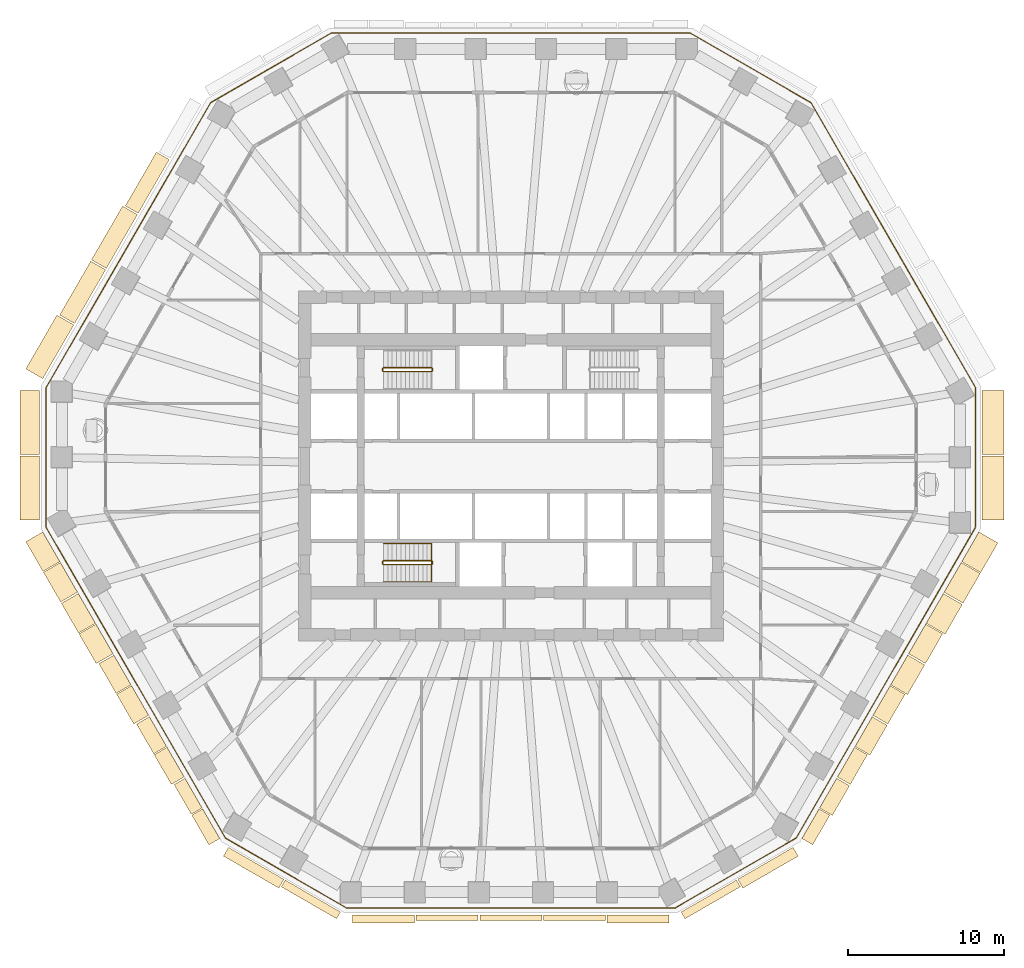
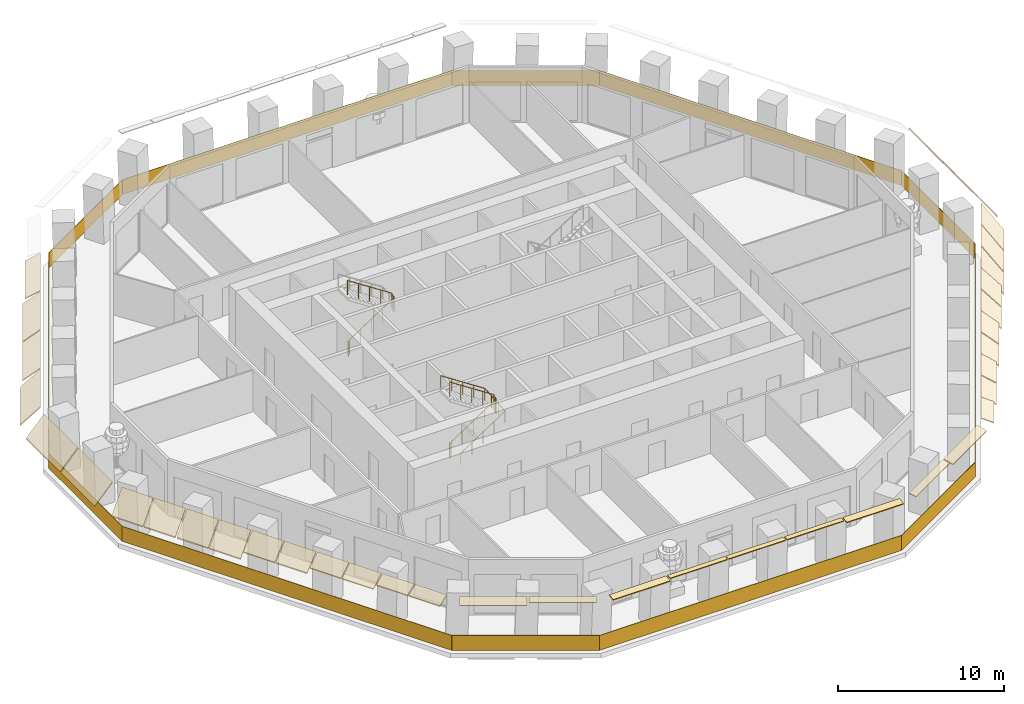
# One storey, part 10 of 13: 37 coverings, 4 railings.
"""IFC4 building model written with IfcOpenShell, lengths in metres."""

from ifc_helpers import new_model, si_unit, direction, frame, origin, origin_2d, place, context, subcontext, project, spatial, polyline, rectangle, circle, outline, extrude, material, layer, layer_set, type_object, element, save


model = new_model("IFC4")

# Units and contexts
model_context = context("Model", 3, precision=1e-05, world=origin(), true_north=direction((0.0, 1.0)))
body_context = subcontext(model_context, "Body", "Model", "MODEL_VIEW")
ifc_project = project(units=[si_unit("LENGTHUNIT", "METRE"), si_unit("AREAUNIT", "SQUARE_METRE"), si_unit("VOLUMEUNIT", "CUBIC_METRE"), si_unit("PLANEANGLEUNIT", "RADIAN"), si_unit("MASSUNIT", "GRAM", prefix="KILO")], contexts=[model_context])

# Site, building, storey
site_placement = place(None, origin())
site = spatial("IfcSite", under=ifc_project, at=site_placement, CompositionType="ELEMENT")
building_placement = place(site_placement, origin())
building = spatial("IfcBuilding", under=site, at=building_placement, Name="Frailejon Research Tower", CompositionType="ELEMENT")
storey_placement = place(building_placement, frame((0.0, 0.0, 98.39990234375)))
storey = spatial("IfcBuildingStorey", under=building, at=storey_placement, Name="L21", CompositionType="ELEMENT", Elevation=98.39990234375)

# Coverings
ifc_material_1 = material(Name="Precast concrete C50/60", Category="concrete")
ifc_layer_1 = layer(ifc_material_1, 0.06005859375)
ifc_layer_set_1 = layer_set([ifc_layer_1], Name="Brim blade depth 1100")
covering_type_1 = type_object("IfcCoveringType", Name="Brim blade depth 1100", PredefinedType="CLADDING", material=ifc_layer_set_1)
for number, where, z_axis, x_axis, name in (
    (1, (-25.8837890625, 12.650634765625, 4.25), (0.499992413042, 0.866029784072, 0.0), (-0.866029784072, 0.499992413042, 0.0), "Brim blade L21"),
    (2, (-27.919921875, 9.123779296875, 4.25), (0.499992413042, 0.866029784072, 0.0), (-0.866029784072, 0.499992413042, 0.0), "Brim blade L21"),
):
    element("IfcCovering", number, at=place(storey_placement, frame(where, z_axis=z_axis, x_axis=x_axis)), inside=storey, type_object=covering_type_1, Name=name, PredefinedType="CLADDING", context=body_context, shape_type="SweptSolid", body=[
        extrude(outline(polyline([(0.0, -0.078369140625), (1.10009765625, -1.001220703125), (1.10009765625, -0.923095703125), (0.0, 0.0), (0.0, -0.078369140625)])), origin(), (0.0, 0.0, 1.0), 3.972412109375),
    ])
for number, where, z_axis, x_axis, name in (
    (3, (-24.306884765625, -13.9990234375, 4.25), (-0.49998618725, 0.866033378433, 0.0), (-0.866033378433, -0.49998618725, 0.0), "Brim blade L21"),
    (4, (-23.17919921875, -15.952392578125, 4.25), (-0.49998618725, 0.866033378433, 0.0), (-0.866033378433, -0.49998618725, 0.0), "Brim blade L21"),
):
    element("IfcCovering", number, at=place(storey_placement, frame(where, z_axis=z_axis, x_axis=x_axis)), inside=storey, type_object=covering_type_1, Name=name, PredefinedType="CLADDING", context=body_context, shape_type="SweptSolid", body=[
        extrude(outline(polyline([(0.0, -0.078369140625), (1.10009765625, -1.001220703125), (1.10009765625, -0.923095703125), (0.0, 0.0), (0.0, -0.078369140625)])), origin(), (0.0, 0.0, 1.0), 2.19580078125),
    ])
covering_1_placement = place(storey_placement, frame((23.129150390625, -16.0390625, 4.25), z_axis=(-0.500012180236, -0.866018371408, 0.0), x_axis=(0.866018371408, -0.500012180236, 0.0)))
element("IfcCovering", 5, at=covering_1_placement, inside=storey, type_object=covering_type_1, Name="Brim blade L21", PredefinedType="CLADDING", context=body_context, shape_type="SweptSolid", body=[
    extrude(outline(polyline([(0.0, -0.078369140625), (1.10009765625, -1.001220703125), (1.10009765625, -0.923095703125), (0.0, 0.0), (0.0, -0.078369140625)])), origin(), (0.0, 0.0, 1.0), 2.195556640625),
])
covering_2_placement = place(storey_placement, frame((24.277099609375, -14.051025390625, 4.25), z_axis=(-0.49998618725, -0.866033378433, 0.0), x_axis=(0.866033378433, -0.49998618725, 0.0)))
element("IfcCovering", 6, at=covering_2_placement, inside=storey, type_object=covering_type_1, Name="Brim blade L21", PredefinedType="CLADDING", context=body_context, shape_type="SweptSolid", body=[
    extrude(outline(polyline([(0.0, -0.078369140625), (1.10009765625, -1.001220703125), (1.10009765625, -0.923095703125), (0.0, 0.0), (0.0, -0.078369140625)])), origin(), (0.0, 0.0, 1.0), 2.19580078125),
])
ifc_material_2 = material(Name="Precast concrete C50/60", Category="concrete")
ifc_layer_2 = layer(ifc_material_2, 0.06005859375)
ifc_layer_set_2 = layer_set([ifc_layer_2], Name="Brim blade depth 1250")
covering_type_2 = type_object("IfcCoveringType", Name="Brim blade depth 1250", PredefinedType="CLADDING", material=ifc_layer_set_2)
covering_3_placement = place(storey_placement, frame((-29.9560546875, 5.59716796875, 4.25), z_axis=(0.500010829996, 0.866019150993, 0.0), x_axis=(-0.866019150993, 0.500010829996, 0.0)))
element("IfcCovering", 7, at=covering_3_placement, inside=storey, type_object=covering_type_2, Name="Brim blade L21", PredefinedType="CLADDING", context=body_context, shape_type="SweptSolid", body=[
    extrude(outline(polyline([(0.0, -0.0888671875), (1.25, -1.452880859375), (1.25, -1.364013671875), (0.0, 0.0), (0.0, -0.0888671875)])), origin(), (0.0, 0.0, 1.0), 3.972412109375),
])
covering_4_placement = place(storey_placement, frame((-30.162109375, 0.741455078125, 4.25), z_axis=(0.0, 1.0, 0.0), x_axis=(-1.0, 0.0, 0.0)))
element("IfcCovering", 8, at=covering_4_placement, inside=storey, type_object=covering_type_2, Name="Brim blade L21", PredefinedType="CLADDING", context=body_context, shape_type="SweptSolid", body=[
    extrude(outline(polyline([(0.0, -0.0888671875), (1.25, -1.452880859375), (1.25, -1.364013671875), (0.0, 0.0), (0.0, -0.0888671875)])), origin(), (0.0, 0.0, 1.0), 4.08740234375),
])
covering_5_placement = place(storey_placement, frame((-30.162109375, -3.4462890625, 4.25), z_axis=(0.0, 1.0, 0.0), x_axis=(-1.0, 0.0, 0.0)))
element("IfcCovering", 9, at=covering_5_placement, inside=storey, type_object=covering_type_2, Name="Brim blade L21", PredefinedType="CLADDING", context=body_context, shape_type="SweptSolid", body=[
    extrude(outline(polyline([(0.0, -0.0888671875), (1.25, -1.452880859375), (1.25, -1.364013671875), (0.0, 0.0), (0.0, -0.0888671875)])), origin(), (0.0, 0.0, 1.0), 4.087646484375),
])
for number, where, z_axis, x_axis, name in (
    (10, (-28.8583984375, -6.115966796875, 4.25), (-0.500012180236, 0.866018371408, 0.0), (-0.866018371408, -0.500012180236, 0.0), "Brim blade L21"),
    (11, (-27.73046875, -8.0693359375, 4.25), (-0.500012180236, 0.866018371408, 0.0), (-0.866018371408, -0.500012180236, 0.0), "Brim blade L21"),
    (12, (-26.58251953125, -10.0576171875, 4.25), (-0.499995700913, 0.866027885849, 0.0), (-0.866027885849, -0.499995700913, 0.0), "Brim blade L21"),
    (13, (-25.454833984375, -12.010986328125, 4.25), (-0.499995700913, 0.866027885849, 0.0), (-0.866027885849, -0.499995700913, 0.0), "Brim blade L21"),
):
    element("IfcCovering", number, at=place(storey_placement, frame(where, z_axis=z_axis, x_axis=x_axis)), inside=storey, type_object=covering_type_2, Name=name, PredefinedType="CLADDING", context=body_context, shape_type="SweptSolid", body=[
        extrude(outline(polyline([(0.0, -0.0888671875), (1.25, -1.452880859375), (1.25, -1.364013671875), (0.0, 0.0), (0.0, -0.0888671875)])), origin(), (0.0, 0.0, 1.0), 2.195556640625),
    ])
covering_6_placement = place(storey_placement, frame((25.40478515625, -12.097412109375, 4.25), z_axis=(-0.49998618725, -0.866033378433, 0.0), x_axis=(0.866033378433, -0.49998618725, 0.0)))
element("IfcCovering", 14, at=covering_6_placement, inside=storey, type_object=covering_type_2, Name="Brim blade L21", PredefinedType="CLADDING", context=body_context, shape_type="SweptSolid", body=[
    extrude(outline(polyline([(0.0, -0.0888671875), (1.25, -1.452880859375), (1.25, -1.364013671875), (0.0, 0.0), (0.0, -0.0888671875)])), origin(), (0.0, 0.0, 1.0), 2.19580078125),
])
covering_7_placement = place(storey_placement, frame((26.552490234375, -10.109375, 4.25), z_axis=(-0.499995700913, -0.866027885849, 0.0), x_axis=(0.866027885849, -0.499995700913, 0.0)))
element("IfcCovering", 15, at=covering_7_placement, inside=storey, type_object=covering_type_2, Name="Brim blade L21", PredefinedType="CLADDING", context=body_context, shape_type="SweptSolid", body=[
    extrude(outline(polyline([(0.0, -0.0888671875), (1.25, -1.452880859375), (1.25, -1.364013671875), (0.0, 0.0), (0.0, -0.0888671875)])), origin(), (0.0, 0.0, 1.0), 2.195556640625),
])
ifc_material_3 = material(Name="Precast concrete C50/60", Category="concrete")
ifc_layer_3 = layer(ifc_material_3, 0.06005859375)
ifc_layer_set_3 = layer_set([ifc_layer_3], Name="Brim blade depth 1400")
covering_type_3 = type_object("IfcCoveringType", Name="Brim blade depth 1400", PredefinedType="CLADDING", material=ifc_layer_set_3)
covering_8_placement = place(storey_placement, frame((30.162109375, 0.641357421875, 4.25), z_axis=(0.0, -1.0, 0.0), x_axis=(1.0, 0.0, 0.0)))
element("IfcCovering", 16, at=covering_8_placement, inside=storey, type_object=covering_type_3, Name="Brim blade L21", PredefinedType="CLADDING", context=body_context, shape_type="SweptSolid", body=[
    extrude(outline(polyline([(0.0, -0.1044921875), (1.39990234375, -2.10400390625), (1.39990234375, -1.99951171875), (0.0, 0.0), (0.0, -0.1044921875)])), origin(), (0.0, 0.0, 1.0), 4.087646484375),
])
covering_9_placement = place(storey_placement, frame((30.162109375, 4.828857421875, 4.25), z_axis=(0.0, -1.0, 0.0), x_axis=(1.0, 0.0, 0.0)))
element("IfcCovering", 17, at=covering_9_placement, inside=storey, type_object=covering_type_3, Name="Brim blade L21", PredefinedType="CLADDING", context=body_context, shape_type="SweptSolid", body=[
    extrude(outline(polyline([(0.0, -0.1044921875), (1.39990234375, -2.10400390625), (1.39990234375, -1.99951171875), (0.0, 0.0), (0.0, -0.1044921875)])), origin(), (0.0, 0.0, 1.0), 4.08740234375),
])
for number, where, z_axis, x_axis, name in (
    (18, (27.680419921875, -8.156005859375, 4.25), (-0.499995700913, -0.866027885849, 0.0), (0.866027885849, -0.499995700913, 0.0), "Brim blade L21"),
    (19, (28.828369140625, -6.16796875, 4.25), (-0.500012180236, -0.866018371408, 0.0), (0.866018371408, -0.500012180236, 0.0), "Brim blade L21"),
    (20, (29.9560546875, -4.214599609375, 4.25), (-0.500012180236, -0.866018371408, 0.0), (0.866018371408, -0.500012180236, 0.0), "Brim blade L21"),
):
    element("IfcCovering", number, at=place(storey_placement, frame(where, z_axis=z_axis, x_axis=x_axis)), inside=storey, type_object=covering_type_3, Name=name, PredefinedType="CLADDING", context=body_context, shape_type="SweptSolid", body=[
        extrude(outline(polyline([(0.0, -0.1044921875), (1.39990234375, -2.10400390625), (1.39990234375, -1.99951171875), (0.0, 0.0), (0.0, -0.1044921875)])), origin(), (0.0, 0.0, 1.0), 2.195556640625),
    ])
ifc_material_4 = material(Name="Precast concrete C50/60", Category="concrete")
ifc_layer_4 = layer(ifc_material_4, 0.06005859375)
ifc_layer_set_4 = layer_set([ifc_layer_4], Name="Brim blade depth 350")
covering_type_4 = type_object("IfcCoveringType", Name="Brim blade depth 350", PredefinedType="CLADDING", material=ifc_layer_set_4)
covering_10_placement = place(storey_placement, frame((-2.086181640625, -28.741455078125, 4.25), z_axis=(-1.0, 0.0, 0.0), x_axis=(0.0, -1.0, 0.0)))
element("IfcCovering", 21, at=covering_10_placement, inside=storey, type_object=covering_type_4, Name="Brim blade L21", PredefinedType="CLADDING", context=body_context, shape_type="SweptSolid", body=[
    extrude(outline(polyline([(0.0, -0.06005859375), (0.35009765625, -0.06005859375), (0.35009765625, 0.0), (0.0, 0.0), (0.0, -0.06005859375)])), origin(), (0.0, 0.0, 1.0), 3.972412109375),
])
covering_11_placement = place(storey_placement, frame((1.986083984375, -28.741455078125, 4.25), z_axis=(-1.0, 0.0, 0.0), x_axis=(0.0, -1.0, 0.0)))
element("IfcCovering", 22, at=covering_11_placement, inside=storey, type_object=covering_type_4, Name="Brim blade L21", PredefinedType="CLADDING", context=body_context, shape_type="SweptSolid", body=[
    extrude(outline(polyline([(0.0, -0.06005859375), (0.35009765625, -0.06005859375), (0.35009765625, 0.0), (0.0, 0.0), (0.0, -0.06005859375)])), origin(), (0.0, 0.0, 1.0), 3.97216796875),
])
covering_12_placement = place(storey_placement, frame((6.058349609375, -28.741455078125, 4.25), z_axis=(-1.0, 0.0, 0.0), x_axis=(0.0, -1.0, 0.0)))
element("IfcCovering", 23, at=covering_12_placement, inside=storey, type_object=covering_type_4, Name="Brim blade L21", PredefinedType="CLADDING", context=body_context, shape_type="SweptSolid", body=[
    extrude(outline(polyline([(0.0, -0.06005859375), (0.35009765625, -0.06005859375), (0.35009765625, 0.0), (0.0, 0.0), (0.0, -0.06005859375)])), origin(), (0.0, 0.0, 1.0), 3.972412109375),
])
ifc_material_5 = material(Name="Precast concrete C50/60", Category="concrete")
ifc_layer_5 = layer(ifc_material_5, 0.06005859375)
ifc_layer_set_5 = layer_set([ifc_layer_5], Name="Brim blade depth 500")
covering_type_5 = type_object("IfcCoveringType", Name="Brim blade depth 500", PredefinedType="CLADDING", material=ifc_layer_set_5)
covering_13_placement = place(storey_placement, frame((-10.89892578125, -28.535400390625, 4.25), z_axis=(-0.866021344981, 0.500007029989, 0.0), x_axis=(-0.500007029989, -0.866021344981, 0.0)))
element("IfcCovering", 24, at=covering_13_placement, inside=storey, type_object=covering_type_5, Name="Brim blade L21", PredefinedType="CLADDING", context=body_context, shape_type="SweptSolid", body=[
    extrude(outline(polyline([(0.0, -0.060546875), (0.5, -0.130859375), (0.5, -0.0703125), (0.0, 0.0), (0.0, -0.060546875)])), origin(), (0.0, 0.0, 1.0), 4.08740234375),
])
for number, where, z_axis, x_axis, name in (
    (25, (-6.158447265625, -28.741455078125, 4.25), (-1.0, 0.0, 0.0), (0.0, -1.0, 0.0), "Brim blade L21"),
    (26, (10.130615234375, -28.741455078125, 4.25), (-1.0, 0.0, 0.0), (0.0, -1.0, 0.0), "Brim blade L21"),
):
    element("IfcCovering", number, at=place(storey_placement, frame(where, z_axis=z_axis, x_axis=x_axis)), inside=storey, type_object=covering_type_5, Name=name, PredefinedType="CLADDING", context=body_context, shape_type="SweptSolid", body=[
        extrude(outline(polyline([(0.0, -0.060546875), (0.5, -0.130859375), (0.5, -0.0703125), (0.0, 0.0), (0.0, -0.060546875)])), origin(), (0.0, 0.0, 1.0), 3.972412109375),
    ])
covering_14_placement = place(storey_placement, frame((14.43896484375, -26.49169921875, 4.25), z_axis=(-0.866021344981, -0.500007029989, 0.0), x_axis=(0.500007029989, -0.866021344981, 0.0)))
element("IfcCovering", 27, at=covering_14_placement, inside=storey, type_object=covering_type_5, Name="Brim blade L21", PredefinedType="CLADDING", context=body_context, shape_type="SweptSolid", body=[
    extrude(outline(polyline([(0.0, -0.060546875), (0.5, -0.130859375), (0.5, -0.0703125), (0.0, 0.0), (0.0, -0.060546875)])), origin(), (0.0, 0.0, 1.0), 4.08740234375),
])
ifc_material_6 = material(Name="Precast concrete C50/60", Category="concrete")
ifc_layer_6 = layer(ifc_material_6, 0.06005859375)
ifc_layer_set_6 = layer_set([ifc_layer_6], Name="Brim blade depth 650")
covering_type_6 = type_object("IfcCoveringType", Name="Brim blade depth 650", PredefinedType="CLADDING", material=ifc_layer_set_6)
for number, where, z_axis, x_axis, name in (
    (28, (-14.525390625, -26.441650390625, 4.25), (-0.866027315287, 0.499996689166, 0.0), (-0.499996689166, -0.866027315287, 0.0), "Brim blade L21"),
    (29, (18.0654296875, -24.39794921875, 4.25), (-0.866027315287, -0.499996689166, 0.0), (0.499996689166, -0.866027315287, 0.0), "Brim blade L21"),
):
    element("IfcCovering", number, at=place(storey_placement, frame(where, z_axis=z_axis, x_axis=x_axis)), inside=storey, type_object=covering_type_6, Name=name, PredefinedType="CLADDING", context=body_context, shape_type="SweptSolid", body=[
        extrude(outline(polyline([(0.0, -0.0625), (0.64990234375, -0.248779296875), (0.64990234375, -0.186279296875), (0.0, 0.0), (0.0, -0.0625)])), origin(), (0.0, 0.0, 1.0), 4.087646484375),
    ])
ifc_material_7 = material(Name="Precast concrete C50/60", Category="concrete")
ifc_layer_7 = layer(ifc_material_7, 0.06005859375)
ifc_layer_set_7 = layer_set([ifc_layer_7], Name="Brim blade depth 800")
covering_type_7 = type_object("IfcCoveringType", Name="Brim blade depth 800", PredefinedType="CLADDING", material=ifc_layer_set_7)
for number, where, z_axis, x_axis, name in (
    (30, (-19.755615234375, -21.882080078125, 4.25), (-0.499995700913, 0.866027885849, 0.0), (-0.866027885849, -0.499995700913, 0.0), "Brim blade L21"),
    (31, (-18.6279296875, -23.83544921875, 4.25), (-0.499995700913, 0.866027885849, 0.0), (-0.866027885849, -0.499995700913, 0.0), "Brim blade L21"),
    (32, (19.7255859375, -21.93408203125, 4.25), (-0.499995700913, -0.866027885849, 0.0), (0.866027885849, -0.499995700913, 0.0), "Brim blade L21"),
):
    element("IfcCovering", number, at=place(storey_placement, frame(where, z_axis=z_axis, x_axis=x_axis)), inside=storey, type_object=covering_type_7, Name=name, PredefinedType="CLADDING", context=body_context, shape_type="SweptSolid", body=[
        extrude(outline(polyline([(0.0, -0.065673828125), (0.800048828125, -0.421875), (0.800048828125, -0.356201171875), (0.0, 0.0), (0.0, -0.065673828125)])), origin(), (0.0, 0.0, 1.0), 2.195556640625),
    ])
ifc_material_8 = material(Name="Precast concrete C50/60", Category="concrete")
ifc_layer_8 = layer(ifc_material_8, 0.06005859375)
ifc_layer_set_8 = layer_set([ifc_layer_8], Name="Brim blade depth 950")
covering_type_8 = type_object("IfcCoveringType", Name="Brim blade depth 950", PredefinedType="CLADDING", material=ifc_layer_set_8)
covering_15_placement = place(storey_placement, frame((-23.84765625, 16.17724609375, 4.25), z_axis=(0.500010829996, 0.866019150993, 0.0), x_axis=(-0.866019150993, 0.500010829996, 0.0)))
element("IfcCovering", 33, at=covering_15_placement, inside=storey, type_object=covering_type_8, Name="Brim blade L21", PredefinedType="CLADDING", context=body_context, shape_type="SweptSolid", body=[
    extrude(outline(polyline([(0.0, -0.07080078125), (0.949951171875, -0.664306640625), (0.949951171875, -0.593505859375), (0.0, 0.0), (0.0, -0.07080078125)])), origin(), (0.0, 0.0, 1.0), 3.972412109375),
])
for number, where, z_axis, x_axis, name in (
    (34, (-22.031494140625, -17.940673828125, 4.25), (-0.500012180236, 0.866018371408, 0.0), (-0.866018371408, -0.500012180236, 0.0), "Brim blade L21"),
    (35, (-20.903564453125, -19.89404296875, 4.25), (-0.500012180236, 0.866018371408, 0.0), (-0.866018371408, -0.500012180236, 0.0), "Brim blade L21"),
    (36, (20.853515625, -19.980712890625, 4.25), (-0.499995700913, -0.866027885849, 0.0), (0.866027885849, -0.499995700913, 0.0), "Brim blade L21"),
    (37, (22.00146484375, -17.992431640625, 4.25), (-0.500012180236, -0.866018371408, 0.0), (0.866018371408, -0.500012180236, 0.0), "Brim blade L21"),
):
    element("IfcCovering", number, at=place(storey_placement, frame(where, z_axis=z_axis, x_axis=x_axis)), inside=storey, type_object=covering_type_8, Name=name, PredefinedType="CLADDING", context=body_context, shape_type="SweptSolid", body=[
        extrude(outline(polyline([(0.0, -0.07080078125), (0.949951171875, -0.664306640625), (0.949951171875, -0.593505859375), (0.0, 0.0), (0.0, -0.07080078125)])), origin(), (0.0, 0.0, 1.0), 2.195556640625),
    ])

# Railings
ifc_material_9 = material(Name="Laminated glass balustrade", Category="glass")
railing_type_1 = type_object("IfcRailingType", Name="Glass guard 1100", PredefinedType="GUARDRAIL", material=ifc_material_9)
railing_1_placement = place(storey_placement, frame((29.746826171875, -3.906494140625, 0.0)))
element("IfcRailing", 38, at=railing_1_placement, inside=storey, type_object=railing_type_1, Name="Loggia guard L21", PredefinedType="GUARDRAIL", context=body_context, shape_type="SweptSolid", body=[
    extrude(rectangle(XDim=8.919189453125, YDim=0.030029296875, at=origin_2d()), frame((0.0, 4.45947265625, 0.0), z_axis=(0.0, 0.0, 1.0), x_axis=(0.0, 1.0, 0.0)), (0.0, 0.0, 1.0), 1.10009765625),
    extrude(rectangle(XDim=21.06494140625, YDim=0.030029296875, at=origin_2d()), frame((-5.26611328125, 18.04052734375, 0.0), z_axis=(0.0, 0.0, 1.0), x_axis=(-0.500002026956, 0.866024233518, 0.0)), (0.0, 0.0, 1.0), 1.10009765625),
    extrude(rectangle(XDim=8.918701171875, YDim=0.030029296875, at=origin_2d()), frame((-14.39453125, 29.3916015625, 0.0), z_axis=(0.0, 0.0, 1.0), x_axis=(-0.866032876802, 0.49998705613, 0.0)), (0.0, 0.0, 1.0), 1.10009765625),
    extrude(rectangle(XDim=22.98095703125, YDim=0.030029296875, at=origin_2d()), frame((-29.746826171875, 31.62109375, 0.0), z_axis=(0.0, 0.0, 1.0), x_axis=(-1.0, 0.0, 0.0)), (0.0, 0.0, 1.0), 1.10009765625),
    extrude(rectangle(XDim=8.918701171875, YDim=0.030029296875, at=origin_2d()), frame((-45.09912109375, 29.3916015625, 0.0), z_axis=(0.0, 0.0, 1.0), x_axis=(-0.866032876802, -0.49998705613, 0.0)), (0.0, 0.0, 1.0), 1.10009765625),
    extrude(rectangle(XDim=21.06494140625, YDim=0.030029296875, at=origin_2d()), frame((-54.2275390625, 18.04052734375, 0.0), z_axis=(0.0, 0.0, 1.0), x_axis=(-0.500002026956, -0.866024233518, 0.0)), (0.0, 0.0, 1.0), 1.10009765625),
    extrude(rectangle(XDim=8.919189453125, YDim=0.030029296875, at=origin_2d()), frame((-59.49365234375, 4.45947265625, 0.0), z_axis=(0.0, 0.0, 1.0), x_axis=(0.0, -1.0, 0.0)), (0.0, 0.0, 1.0), 1.10009765625),
    extrude(rectangle(XDim=22.980712890625, YDim=0.030029296875, at=origin_2d()), frame((-53.74853515625, -9.950927734375, 0.0), z_axis=(0.0, 0.0, 1.0), x_axis=(0.500004467973, -0.866022824184, 0.0)), (0.0, 0.0, 1.0), 1.10009765625),
    extrude(rectangle(XDim=8.918701171875, YDim=0.030029296875, at=origin_2d()), frame((-44.14111328125, -22.131591796875, 0.0), z_axis=(0.0, 0.0, 1.0), x_axis=(0.866021023613, -0.500007586602, 0.0)), (0.0, 0.0, 1.0), 1.10009765625),
    extrude(rectangle(XDim=21.06494140625, YDim=0.030029296875, at=origin_2d()), frame((-29.746826171875, -24.361328125, 0.0), z_axis=(0.0, 0.0, 1.0), x_axis=(1.0, 0.0, 0.0)), (0.0, 0.0, 1.0), 1.10009765625),
    extrude(rectangle(XDim=8.918701171875, YDim=0.030029296875, at=origin_2d()), frame((-15.3525390625, -22.131591796875, 0.0), z_axis=(0.0, 0.0, 1.0), x_axis=(0.866021023613, 0.500007586602, 0.0)), (0.0, 0.0, 1.0), 1.10009765625),
    extrude(rectangle(XDim=22.910888671875, YDim=0.030029296875, at=origin_2d()), frame((-5.7626953125, -9.981201171875, 0.0), z_axis=(0.0, 0.0, 1.0), x_axis=(0.500005943084, 0.866021972516, 0.0)), (0.0, 0.0, 1.0), 1.10009765625),
])
ifc_material_10 = material(Name="Stainless steel", Category="steel")
railing_type_2 = type_object("IfcRailingType", Name="Stair guard 1100", PredefinedType="GUARDRAIL", material=ifc_material_10)
railing_2_placement = place(storey_placement, frame((-8.199951171875, 6.25, 0.0)))
element("IfcRailing", 39, at=railing_2_placement, inside=storey, type_object=railing_type_2, Name="L21 ST1 stair guard 1", PredefinedType="GUARDRAIL", context=body_context, shape_type="SweptSolid", body=[
    extrude(circle(Radius=0.02392578125, at=origin_2d()), frame((0.0, 0.0, 1.076171875), z_axis=(0.0, -1.0, 0.0), x_axis=(1.0, 0.0, 0.0)), (0.0, 0.0, 1.0), 0.14990234375),
    extrude(circle(Radius=0.02392578125, at=origin_2d()), frame((0.0, -0.14990234375, 1.076171875), z_axis=(0.254653276557, -0.254653276557, 0.932900539971), x_axis=(0.707106781187, 0.707106781187, 0.0)), (0.0, 0.0, 1.0), 0.196533203125),
    extrude(circle(Radius=0.02392578125, at=origin_2d()), frame((0.050048828125, -0.199951171875, 1.25927734375), z_axis=(0.836582707638, 0.0, 0.547840645882), x_axis=(0.0, 1.0, 0.0)), (0.0, 0.0, 1.0), 3.681396484375),
    extrude(circle(Radius=0.02392578125, at=origin_2d()), frame((3.1298828125, -0.199951171875, 3.2763671875), z_axis=(0.707106781187, 0.707106781187, 0.0), x_axis=(-0.707106781187, 0.707106781187, 0.0)), (0.0, 0.0, 1.0), 0.07080078125),
    extrude(circle(Radius=0.02392578125, at=origin_2d()), frame((3.179931640625, -0.14990234375, 3.2763671875), z_axis=(0.0, 1.0, 0.0), x_axis=(-1.0, 0.0, 0.0)), (0.0, 0.0, 1.0), 0.14990234375),
    extrude(circle(Radius=0.02392578125, at=origin_2d()), frame((3.179931640625, 0.0, 3.2763671875), z_axis=(-0.254653276557, 0.254653276557, 0.932900539971), x_axis=(-0.707106781187, -0.707106781187, 0.0)), (0.0, 0.0, 1.0), 0.196533203125),
    extrude(circle(Radius=0.02392578125, at=origin_2d()), frame((3.1298828125, 0.050048828125, 3.45947265625), z_axis=(-0.836613101238, 0.0, 0.547794230379), x_axis=(0.0, -1.0, 0.0)), (0.0, 0.0, 1.0), 3.681396484375),
    extrude(circle(Radius=0.02099609375, at=origin_2d()), origin(), (0.0, 0.0, 1.0), 1.052001953125),
    extrude(circle(Radius=0.02099609375, at=origin_2d()), frame((0.0, -0.14990234375, 0.0)), (0.0, 0.0, 1.0), 1.052001953125),
    extrude(circle(Radius=0.02099609375, at=origin_2d()), frame((0.050048828125, -0.199951171875, 0.183349609375)), (0.0, 0.0, 1.0), 1.052001953125),
    extrude(circle(Radius=0.02099609375, at=origin_2d()), frame((0.820068359375, -0.199951171875, 0.6875)), (0.0, 0.0, 1.0), 1.052001953125),
    extrude(circle(Radius=0.02099609375, at=origin_2d()), frame((1.58984375, -0.199951171875, 1.19189453125)), (0.0, 0.0, 1.0), 1.052001953125),
    extrude(circle(Radius=0.02099609375, at=origin_2d()), frame((2.35986328125, -0.199951171875, 1.696044921875)), (0.0, 0.0, 1.0), 1.052001953125),
    extrude(circle(Radius=0.02099609375, at=origin_2d()), frame((3.1298828125, -0.199951171875, 2.2001953125)), (0.0, 0.0, 1.0), 1.052001953125),
    extrude(circle(Radius=0.02099609375, at=origin_2d()), frame((3.179931640625, -0.14990234375, 2.2001953125)), (0.0, 0.0, 1.0), 1.052001953125),
    extrude(circle(Radius=0.02099609375, at=origin_2d()), frame((3.179931640625, 0.0, 2.2001953125)), (0.0, 0.0, 1.0), 1.052001953125),
    extrude(circle(Radius=0.02099609375, at=origin_2d()), frame((3.1298828125, 0.050048828125, 2.383544921875)), (0.0, 0.0, 1.0), 1.052001953125),
    extrude(circle(Radius=0.02099609375, at=origin_2d()), frame((2.35986328125, 0.050048828125, 2.8876953125)), (0.0, 0.0, 1.0), 1.052001953125),
    extrude(circle(Radius=0.02099609375, at=origin_2d()), frame((1.58984375, 0.050048828125, 3.391845703125)), (0.0, 0.0, 1.0), 1.052001953125),
    extrude(circle(Radius=0.02099609375, at=origin_2d()), frame((0.820068359375, 0.050048828125, 3.89599609375)), (0.0, 0.0, 1.0), 1.052001953125),
    extrude(circle(Radius=0.02099609375, at=origin_2d()), frame((0.050048828125, 0.050048828125, 4.400146484375)), (0.0, 0.0, 1.0), 1.052001953125),
])
railing_3_placement = place(storey_placement, frame((-8.199951171875, -6.10009765625, 0.0)))
element("IfcRailing", 40, at=railing_3_placement, inside=storey, type_object=railing_type_2, Name="L21 ST2 stair guard 1", PredefinedType="GUARDRAIL", context=body_context, shape_type="SweptSolid", body=[
    extrude(circle(Radius=0.02392578125, at=origin_2d()), frame((0.0, 0.0, 1.076171875), z_axis=(0.0, -1.0, 0.0), x_axis=(1.0, 0.0, 0.0)), (0.0, 0.0, 1.0), 0.14990234375),
    extrude(circle(Radius=0.02392578125, at=origin_2d()), frame((0.0, -0.14990234375, 1.076171875), z_axis=(0.254653276557, -0.254653276557, 0.932900539971), x_axis=(0.707106781187, 0.707106781187, 0.0)), (0.0, 0.0, 1.0), 0.196533203125),
    extrude(circle(Radius=0.02392578125, at=origin_2d()), frame((0.050048828125, -0.199951171875, 1.25927734375), z_axis=(0.836582707638, 0.0, 0.547840645882), x_axis=(0.0, 1.0, 0.0)), (0.0, 0.0, 1.0), 3.681396484375),
    extrude(circle(Radius=0.02392578125, at=origin_2d()), frame((3.1298828125, -0.199951171875, 3.2763671875), z_axis=(0.707106781187, 0.707106781187, 0.0), x_axis=(-0.707106781187, 0.707106781187, 0.0)), (0.0, 0.0, 1.0), 0.07080078125),
    extrude(circle(Radius=0.02392578125, at=origin_2d()), frame((3.179931640625, -0.14990234375, 3.2763671875), z_axis=(0.0, 1.0, 0.0), x_axis=(-1.0, 0.0, 0.0)), (0.0, 0.0, 1.0), 0.14990234375),
    extrude(circle(Radius=0.02392578125, at=origin_2d()), frame((3.179931640625, 0.0, 3.2763671875), z_axis=(-0.254653276557, 0.254653276557, 0.932900539971), x_axis=(-0.707106781187, -0.707106781187, 0.0)), (0.0, 0.0, 1.0), 0.196533203125),
    extrude(circle(Radius=0.02392578125, at=origin_2d()), frame((3.1298828125, 0.050048828125, 3.45947265625), z_axis=(-0.836613101238, 0.0, 0.547794230379), x_axis=(0.0, -1.0, 0.0)), (0.0, 0.0, 1.0), 3.681396484375),
    extrude(circle(Radius=0.02099609375, at=origin_2d()), origin(), (0.0, 0.0, 1.0), 1.052001953125),
    extrude(circle(Radius=0.02099609375, at=origin_2d()), frame((0.0, -0.14990234375, 0.0)), (0.0, 0.0, 1.0), 1.052001953125),
    extrude(circle(Radius=0.02099609375, at=origin_2d()), frame((0.050048828125, -0.199951171875, 0.183349609375)), (0.0, 0.0, 1.0), 1.052001953125),
    extrude(circle(Radius=0.02099609375, at=origin_2d()), frame((0.820068359375, -0.199951171875, 0.6875)), (0.0, 0.0, 1.0), 1.052001953125),
    extrude(circle(Radius=0.02099609375, at=origin_2d()), frame((1.58984375, -0.199951171875, 1.19189453125)), (0.0, 0.0, 1.0), 1.052001953125),
    extrude(circle(Radius=0.02099609375, at=origin_2d()), frame((2.35986328125, -0.199951171875, 1.696044921875)), (0.0, 0.0, 1.0), 1.052001953125),
    extrude(circle(Radius=0.02099609375, at=origin_2d()), frame((3.1298828125, -0.199951171875, 2.2001953125)), (0.0, 0.0, 1.0), 1.052001953125),
    extrude(circle(Radius=0.02099609375, at=origin_2d()), frame((3.179931640625, -0.14990234375, 2.2001953125)), (0.0, 0.0, 1.0), 1.052001953125),
    extrude(circle(Radius=0.02099609375, at=origin_2d()), frame((3.179931640625, 0.0, 2.2001953125)), (0.0, 0.0, 1.0), 1.052001953125),
    extrude(circle(Radius=0.02099609375, at=origin_2d()), frame((3.1298828125, 0.050048828125, 2.383544921875)), (0.0, 0.0, 1.0), 1.052001953125),
    extrude(circle(Radius=0.02099609375, at=origin_2d()), frame((2.35986328125, 0.050048828125, 2.8876953125)), (0.0, 0.0, 1.0), 1.052001953125),
    extrude(circle(Radius=0.02099609375, at=origin_2d()), frame((1.58984375, 0.050048828125, 3.391845703125)), (0.0, 0.0, 1.0), 1.052001953125),
    extrude(circle(Radius=0.02099609375, at=origin_2d()), frame((0.820068359375, 0.050048828125, 3.89599609375)), (0.0, 0.0, 1.0), 1.052001953125),
    extrude(circle(Radius=0.02099609375, at=origin_2d()), frame((0.050048828125, 0.050048828125, 4.400146484375)), (0.0, 0.0, 1.0), 1.052001953125),
])
ifc_material_11 = material(Name="Stainless steel", Category="steel")
railing_type_3 = type_object("IfcRailingType", Name="Stair handrail 900", PredefinedType="HANDRAIL", material=ifc_material_11)
railing_4_placement = place(storey_placement, frame((-8.14990234375, -7.39990234375, 0.183349609375)))
element("IfcRailing", 41, at=railing_4_placement, inside=storey, type_object=railing_type_3, Name="L21 ST2 stair handrail 1", PredefinedType="HANDRAIL", context=body_context, shape_type="SweptSolid", body=[
    extrude(circle(Radius=0.02392578125, at=origin_2d()), frame((0.0, 0.0, 0.8759765625), z_axis=(0.836582707638, 0.0, 0.547840645882), x_axis=(0.0, 1.0, 0.0)), (0.0, 0.0, 1.0), 3.681396484375),
    extrude(circle(Radius=0.02392578125, at=origin_2d()), frame((3.079833984375, 0.0, 2.892578125), z_axis=(0.0, 0.99721134034, 0.074629368868), x_axis=(-1.0, 0.0, 0.0)), (0.0, 0.0, 1.0), 2.456787109375),
    extrude(circle(Radius=0.02392578125, at=origin_2d()), frame((3.079833984375, 2.449951171875, 3.076171875), z_axis=(-0.836613101238, 0.0, 0.547794230379), x_axis=(0.0, -1.0, 0.0)), (0.0, 0.0, 1.0), 3.681396484375),
    extrude(circle(Radius=0.02099609375, at=origin_2d()), origin(), (0.0, 0.0, 1.0), 0.851806640625),
    extrude(circle(Radius=0.02099609375, at=origin_2d()), frame((0.77001953125, 0.0, 0.504150390625)), (0.0, 0.0, 1.0), 0.851806640625),
    extrude(circle(Radius=0.02099609375, at=origin_2d()), frame((1.5400390625, 0.0, 1.00830078125)), (0.0, 0.0, 1.0), 0.851806640625),
    extrude(circle(Radius=0.02099609375, at=origin_2d()), frame((2.309814453125, 0.0, 1.5126953125)), (0.0, 0.0, 1.0), 0.851806640625),
    extrude(circle(Radius=0.02099609375, at=origin_2d()), frame((3.079833984375, 0.0, 2.016845703125)), (0.0, 0.0, 1.0), 0.851806640625),
    extrude(circle(Radius=0.02099609375, at=origin_2d()), frame((3.079833984375, 0.816650390625, 2.077880859375)), (0.0, 0.0, 1.0), 0.851806640625),
    extrude(circle(Radius=0.02099609375, at=origin_2d()), frame((3.079833984375, 1.63330078125, 2.13916015625)), (0.0, 0.0, 1.0), 0.851806640625),
    extrude(circle(Radius=0.02099609375, at=origin_2d()), frame((3.079833984375, 2.449951171875, 2.2001953125)), (0.0, 0.0, 1.0), 0.851806640625),
    extrude(circle(Radius=0.02099609375, at=origin_2d()), frame((2.309814453125, 2.449951171875, 2.704345703125)), (0.0, 0.0, 1.0), 0.851806640625),
    extrude(circle(Radius=0.02099609375, at=origin_2d()), frame((1.5400390625, 2.449951171875, 3.20849609375)), (0.0, 0.0, 1.0), 0.851806640625),
    extrude(circle(Radius=0.02099609375, at=origin_2d()), frame((0.77001953125, 2.449951171875, 3.712646484375)), (0.0, 0.0, 1.0), 0.851806640625),
    extrude(circle(Radius=0.02099609375, at=origin_2d()), frame((0.0, 2.449951171875, 4.216796875)), (0.0, 0.0, 1.0), 0.851806640625),
])

save(model, "model.ifc")
